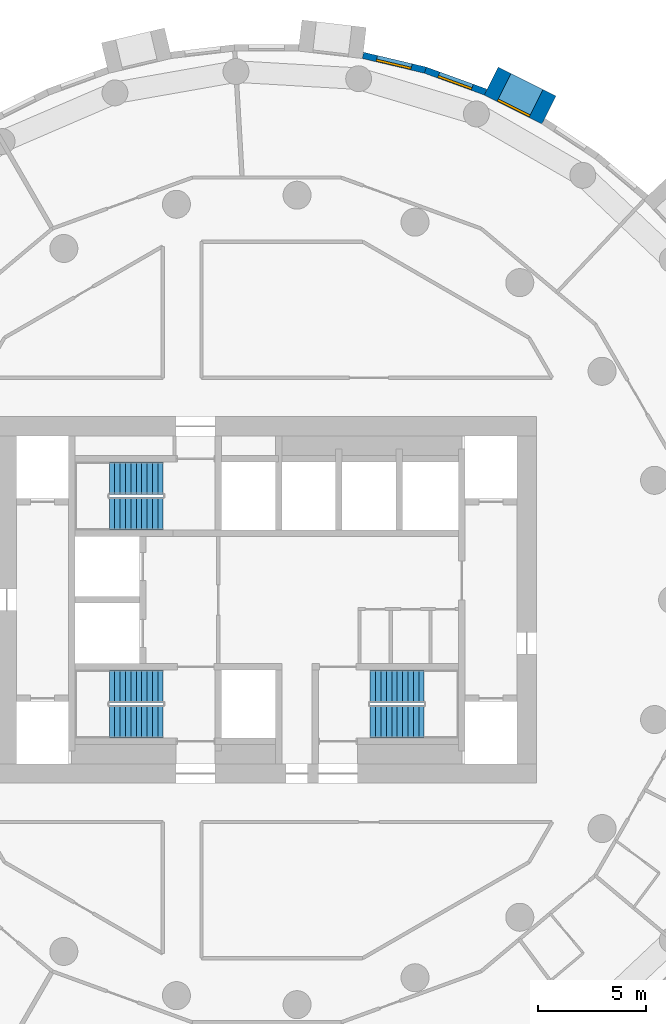
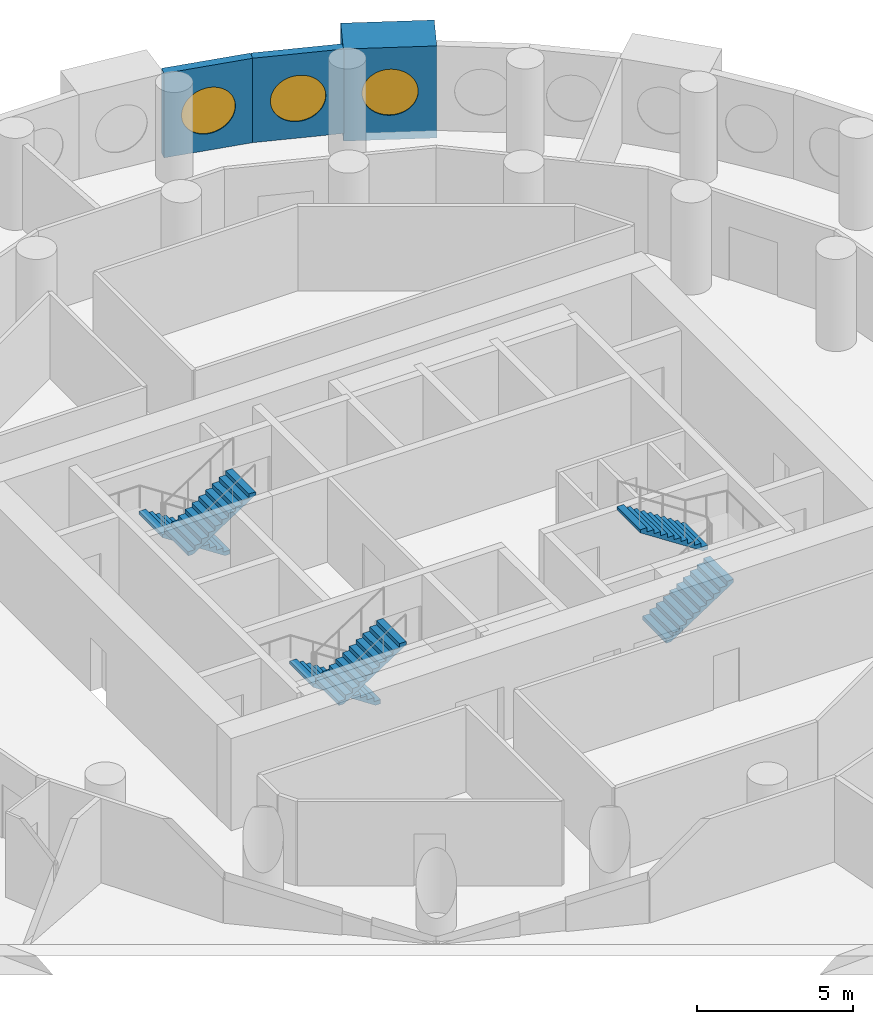
# One storey, part 8 of 9: 6 stair flights, 3 walls, 3 windows, 3 openings, 3 elements without a shape of their own.
"""IFC4 building model written with IfcOpenShell, lengths in metres."""

from ifc_helpers import new_model, si_unit, direction, frame, frame_2d, origin, origin_2d, place, context, subcontext, project, spatial, polyline, rectangle, circle, outline, extrude, material, layer, layer_set, type_object, element, fill, aggregate, save


model = new_model("IFC4")

# Units and contexts
model_context = context("Model", 3, precision=1e-05, world=origin(), true_north=direction((0.0, 1.0)))
body_context = subcontext(model_context, "Body", "Model", "MODEL_VIEW")
ifc_project = project(units=[si_unit("LENGTHUNIT", "METRE"), si_unit("AREAUNIT", "SQUARE_METRE"), si_unit("VOLUMEUNIT", "CUBIC_METRE"), si_unit("PLANEANGLEUNIT", "RADIAN"), si_unit("MASSUNIT", "GRAM", prefix="KILO")], contexts=[model_context])

# Site, building, storey
site_placement = place(None, origin())
site = spatial("IfcSite", under=ifc_project, at=site_placement, CompositionType="ELEMENT")
building_placement = place(site_placement, origin())
building = spatial("IfcBuilding", under=site, at=building_placement, Name="Tracery Tower", CompositionType="ELEMENT")
storey_placement = place(building_placement, frame((0.0, 0.0, 198.0)))
storey = spatial("IfcBuildingStorey", under=building, at=storey_placement, Name="L51", CompositionType="ELEMENT", Elevation=198.0)

# Wall, opening, window
ifc_material_1 = material(Name="Precast concrete C50/60", Category="concrete")
ifc_layer_1 = layer(ifc_material_1, 1.449951171875)
ifc_layer_set_1 = layer_set([ifc_layer_1], Name="Deep-set bay unit 3000 x 3600, slab edge 300")
wall_type_1 = type_object("IfcWallType", Name="Deep-set bay unit 3000 x 3600, slab edge 300", PredefinedType="ELEMENTEDWALL", material=ifc_layer_set_1)
wall_1_placement = place(storey_placement, frame((13.089599609375, 22.72119140625, -0.300048828125), z_axis=(0.0, 0.0, 1.0), x_axis=(-0.893628249713, 0.448807922518, 0.0)))
wall_1 = element("IfcWall", 1, at=wall_1_placement, inside=storey, type_object=wall_type_1, Name="Deep-set bay unit 10 at L51", PredefinedType="ELEMENTEDWALL", context=body_context, shape_type="SweptSolid", body=[
    extrude(rectangle(XDim=3.0, YDim=1.449951171875, at=frame_2d((1.5, 0.0))), origin(), (0.0, 0.0, 1.0), 3.60009765625),
])
opening_1_placement = place(wall_1_placement, frame((1.5, 0.0, 1.85009765625)))
opening_1 = element("IfcOpeningElement", 2, at=opening_1_placement, cuts=wall_1, Name="Opening WN1", PredefinedType="OPENING", context=body_context, shape_type="SweptSolid", body=[
    extrude(circle(Radius=0.9000244140625, at=origin_2d()), frame((0.0, 0.73486328125, 0.0), z_axis=(0.0, -1.0, 0.0), x_axis=(1.0, 0.0, 0.0)), (0.0, 0.0, 1.0), 1.469970703125),
])
ifc_material_2 = material(Name="Aluminium frame with tinted double glazing", Category="aluminium")
window_type = type_object("IfcWindowType", Name="Round window 1800", PartitioningType="SINGLE_PANEL", PredefinedType="WINDOW", material=ifc_material_2)
window_1_placement = place(opening_1_placement, origin())
window_1 = element("IfcWindow", 3, at=window_1_placement, inside=storey, type_object=window_type, Name="Round window 10 at L51", OverallHeight=1.800048828125, OverallWidth=1.800048828125, PartitioningType="SINGLE_PANEL", PredefinedType="WINDOW", context=body_context, shape_type="SweptSolid", body=[
    extrude(circle(Radius=0.9000244140625, at=origin_2d()), frame((0.0, 0.69482421875, 0.0), z_axis=(0.0, -1.0, 0.0), x_axis=(1.0, 0.0, 0.0)), (0.0, 0.0, 1.0), 0.10009765625),
])
fill(opening_1, window_1)

ifc_material_3 = material(Name="Precast concrete C50/60", Category="concrete")
ifc_layer_2 = layer(ifc_material_3, 0.300048828125)
ifc_layer_set_2 = layer_set([ifc_layer_2], Name="Facade panel 3000 x 3300")
wall_type_2 = type_object("IfcWallType", Name="Facade panel 3000 x 3300", PredefinedType="SOLIDWALL", material=ifc_layer_set_2)
wall_2_placement = place(storey_placement, frame((10.1494140625, 23.55322265625, 0.0), z_axis=(0.0, 0.0, 1.0), x_axis=(-0.939690282133, 0.342026568652, 0.0)))
wall_2 = element("IfcWall", 4, at=wall_2_placement, inside=storey, type_object=wall_type_2, Name="Facade panel 11 at L51", PredefinedType="SOLIDWALL", context=body_context, shape_type="SweptSolid", body=[
    extrude(rectangle(XDim=2.972900390625, YDim=0.300048828125, at=frame_2d((1.486328125, 0.0))), origin(), (0.0, 0.0, 1.0), 3.300048828125),
])
opening_2_placement = place(wall_2_placement, frame((1.486328125, 0.0, 1.5498046875)))
opening_2 = element("IfcOpeningElement", 5, at=opening_2_placement, cuts=wall_2, Name="Opening WN1", PredefinedType="OPENING", context=body_context, shape_type="SweptSolid", body=[
    extrude(circle(Radius=0.9000244140625, at=origin_2d()), frame((0.0, 0.159912109375, 0.0), z_axis=(0.0, -1.0, 0.0), x_axis=(1.0, 0.0, 0.0)), (0.0, 0.0, 1.0), 0.320068359375),
])
window_2_placement = place(opening_2_placement, origin())
window_2 = element("IfcWindow", 6, at=window_2_placement, inside=storey, type_object=window_type, Name="Round window 11 at L51", OverallHeight=1.800048828125, OverallWidth=1.800048828125, PartitioningType="SINGLE_PANEL", PredefinedType="WINDOW", context=body_context, shape_type="SweptSolid", body=[
    extrude(circle(Radius=0.9000244140625, at=origin_2d()), frame((0.0, 0.1201171875, 0.0), z_axis=(0.0, -1.0, 0.0), x_axis=(1.0, 0.0, 0.0)), (0.0, 0.0, 1.0), 0.10009765625),
])
fill(opening_2, window_2)

wall_3_placement = place(storey_placement, frame((7.355712890625, 24.570068359375, 0.0), z_axis=(0.0, 0.0, 1.0), x_axis=(-0.973045378923, 0.230613725862, 0.0)))
wall_3 = element("IfcWall", 7, at=wall_3_placement, inside=storey, type_object=wall_type_2, Name="Facade panel 12 at L51", PredefinedType="SOLIDWALL", context=body_context, shape_type="SweptSolid", body=[
    extrude(rectangle(XDim=2.97265625, YDim=0.300048828125, at=frame_2d((1.486328125, 0.0))), origin(), (0.0, 0.0, 1.0), 3.300048828125),
])
opening_3_placement = place(wall_3_placement, frame((1.486328125, 0.0, 1.5498046875)))
opening_3 = element("IfcOpeningElement", 8, at=opening_3_placement, cuts=wall_3, Name="Opening WN1", PredefinedType="OPENING", context=body_context, shape_type="SweptSolid", body=[
    extrude(circle(Radius=0.9000244140625, at=origin_2d()), frame((0.0, 0.159912109375, 0.0), z_axis=(0.0, -1.0, 0.0), x_axis=(1.0, 0.0, 0.0)), (0.0, 0.0, 1.0), 0.320068359375),
])
window_3_placement = place(opening_3_placement, origin())
window_3 = element("IfcWindow", 9, at=window_3_placement, inside=storey, type_object=window_type, Name="Round window 12 at L51", OverallHeight=1.800048828125, OverallWidth=1.800048828125, PartitioningType="SINGLE_PANEL", PredefinedType="WINDOW", context=body_context, shape_type="SweptSolid", body=[
    extrude(circle(Radius=0.9000244140625, at=origin_2d()), frame((0.0, 0.1201171875, 0.0), z_axis=(0.0, -1.0, 0.0), x_axis=(1.0, 0.0, 0.0)), (0.0, 0.0, 1.0), 0.10009765625),
])
fill(opening_3, window_3)

# Stair, stair flights
ifc_material_4 = material(Name="Concrete C32/40", Category="concrete")
stair_type = type_object("IfcStairType", Name="Core stair 22 risers", PredefinedType="HALF_TURN_STAIR", material=ifc_material_4)
stair_1_placement = place(storey_placement, origin())
stair_1 = element("IfcStair", 10, at=stair_1_placement, inside=storey, type_object=stair_type, Name="L51 stair ST1", PredefinedType="HALF_TURN_STAIR")
ifc_material_5 = material(Name="Concrete C32/40", Category="concrete")
stair_flight_type = type_object("IfcStairFlightType", Name="Core stair flight 11 risers", PredefinedType="STRAIGHT", material=ifc_material_5)
stair_flight_1_placement = place(storey_placement, frame((-4.800048828125, -4.0, 0.0), z_axis=(0.0, 0.0, 1.0), x_axis=(-1.0, 0.0, 0.0)))
stair_flight_1 = element("IfcStairFlight", 11, at=stair_flight_1_placement, type_object=stair_flight_type, Name="ST1 flight 1", NumberOfRisers=11, NumberOfTreads=10, PredefinedType="STRAIGHT", RiserHeight=0.163636364, TreadLength=0.25, context=body_context, shape_type="SweptSolid", body=[
    extrude(outline(polyline([(0.0, 0.0), (0.0, 0.002685546875), (0.0, 0.00537109375), (0.0, 0.008056640625), (0.0, 0.0107421875), (0.0, 0.013427734375), (0.0, 0.01611328125), (0.0, 0.018798828125), (0.0, 0.021484375), (0.0, 0.024169921875), (0.0, 0.02685546875), (0.0, 0.029541015625), (0.0, 0.0322265625), (0.0, 0.034912109375), (0.0, 0.03759765625), (0.0, 0.040283203125), (0.0, 0.04296875), (0.0, 0.045654296875), (0.0, 0.04833984375), (0.0, 0.051025390625), (0.0, 0.0537109375), (0.0, 0.056396484375), (0.0, 0.05908203125), (0.0, 0.061767578125), (0.0, 0.064453125), (0.0, 0.067138671875), (0.0, 0.06982421875), (0.0, 0.072509765625), (0.0, 0.0751953125), (0.0, 0.077880859375), (0.0, 0.08056640625), (0.0, 0.083251953125), (0.0, 0.0859375), (0.0, 0.088623046875), (0.0, 0.09130859375), (0.0, 0.093994140625), (0.0, 0.0966796875), (0.0, 0.099365234375), (0.0, 0.10205078125), (0.0, 0.104736328125), (0.0, 0.107421875), (0.0, 0.10986328125), (0.0, 0.112548828125), (0.0, 0.115234375), (0.0, 0.117919921875), (0.0, 0.12060546875), (0.0, 0.123291015625), (0.0, 0.1259765625), (0.0, 0.128662109375), (0.0, 0.13134765625), (0.0, 0.134033203125), (0.0, 0.13671875), (0.0, 0.139404296875), (0.0, 0.14208984375), (0.0, 0.144775390625), (0.0, 0.1474609375), (0.0, 0.150146484375), (0.0, 0.15283203125), (0.0, 0.155517578125), (0.0, 0.158203125), (0.0, 0.160888671875), (0.0, 0.16357421875), (0.25, 0.16357421875), (0.25, 0.327392578125), (0.5, 0.327392578125), (0.5, 0.490966796875), (0.75, 0.490966796875), (0.75, 0.654541015625), (1.0, 0.654541015625), (1.0, 0.818115234375), (1.25, 0.818115234375), (1.25, 0.98193359375), (1.5, 0.98193359375), (1.5, 1.1455078125), (1.75, 1.1455078125), (1.75, 1.30908203125), (2.0, 1.30908203125), (2.0, 1.47265625), (2.25, 1.47265625), (2.25, 1.636474609375), (2.5, 1.636474609375), (2.5, 1.634521484375), (2.5, 1.63232421875), (2.5, 1.63037109375), (2.5, 1.62841796875), (2.5, 1.62646484375), (2.5, 1.62451171875), (2.5, 1.62255859375), (2.5, 1.62060546875), (2.5, 1.61865234375), (2.5, 1.61669921875), (2.5, 1.61474609375), (2.5, 1.61279296875), (2.5, 1.61083984375), (2.5, 1.60888671875), (2.5, 1.60693359375), (2.5, 1.60498046875), (2.5, 1.60302734375), (2.5, 1.60107421875), (2.5, 1.59912109375), (2.5, 1.59716796875), (2.5, 1.59521484375), (2.5, 1.59326171875), (2.5, 1.59130859375), (2.5, 1.58935546875), (2.5, 1.58740234375), (2.5, 1.58544921875), (2.5, 1.58349609375), (2.5, 1.58154296875), (2.5, 1.57958984375), (2.5, 1.57763671875), (2.5, 1.57568359375), (2.5, 1.573486328125), (2.5, 1.571533203125), (2.5, 1.569580078125), (2.5, 1.567626953125), (2.5, 1.565673828125), (2.5, 1.563720703125), (2.5, 1.561767578125), (2.5, 1.559814453125), (2.5, 1.557861328125), (2.5, 1.555908203125), (2.5, 1.553955078125), (2.5, 1.552001953125), (2.5, 1.550048828125), (2.5, 1.548095703125), (2.5, 1.546142578125), (2.5, 1.544189453125), (2.5, 1.542236328125), (2.5, 1.540283203125), (2.5, 1.538330078125), (2.5, 1.536376953125), (2.5, 1.534423828125), (2.5, 1.532470703125), (2.5, 1.530517578125), (2.5, 1.528564453125), (2.5, 1.526611328125), (2.5, 1.524658203125), (2.5, 1.522705078125), (2.5, 1.520751953125), (2.5, 1.518798828125), (2.5, 1.516845703125), (0.182861328125, 0.0), (0.0, 0.0)])), frame((0.0, 0.75, 0.0), z_axis=(0.0, -1.0, 0.0), x_axis=(1.0, 0.0, 0.0)), (0.0, 0.0, 1.0), 1.5),
])
stair_flight_2_placement = place(storey_placement, frame((-7.300048828125, -5.64990234375, 1.800048828125), z_axis=(0.0, 0.0, 1.0), x_axis=(1.0, 0.0, 0.0)))
stair_flight_2 = element("IfcStairFlight", 12, at=stair_flight_2_placement, type_object=stair_flight_type, Name="ST1 flight 2", NumberOfRisers=11, NumberOfTreads=10, PredefinedType="STRAIGHT", RiserHeight=0.163636364, TreadLength=0.25, context=body_context, shape_type="SweptSolid", body=[
    extrude(outline(polyline([(0.0, 0.0), (0.0, 0.002685546875), (0.0, 0.00537109375), (0.0, 0.008056640625), (0.0, 0.0107421875), (0.0, 0.013427734375), (0.0, 0.01611328125), (0.0, 0.018798828125), (0.0, 0.021484375), (0.0, 0.024169921875), (0.0, 0.02685546875), (0.0, 0.029541015625), (0.0, 0.0322265625), (0.0, 0.034912109375), (0.0, 0.03759765625), (0.0, 0.040283203125), (0.0, 0.04296875), (0.0, 0.045654296875), (0.0, 0.04833984375), (0.0, 0.051025390625), (0.0, 0.0537109375), (0.0, 0.056396484375), (0.0, 0.05908203125), (0.0, 0.061767578125), (0.0, 0.064453125), (0.0, 0.067138671875), (0.0, 0.06982421875), (0.0, 0.072509765625), (0.0, 0.0751953125), (0.0, 0.077880859375), (0.0, 0.08056640625), (0.0, 0.083251953125), (0.0, 0.0859375), (0.0, 0.088623046875), (0.0, 0.09130859375), (0.0, 0.093994140625), (0.0, 0.0966796875), (0.0, 0.099365234375), (0.0, 0.10205078125), (0.0, 0.104736328125), (0.0, 0.107421875), (0.0, 0.10986328125), (0.0, 0.112548828125), (0.0, 0.115234375), (0.0, 0.117919921875), (0.0, 0.12060546875), (0.0, 0.123291015625), (0.0, 0.1259765625), (0.0, 0.128662109375), (0.0, 0.13134765625), (0.0, 0.134033203125), (0.0, 0.13671875), (0.0, 0.139404296875), (0.0, 0.14208984375), (0.0, 0.144775390625), (0.0, 0.1474609375), (0.0, 0.150146484375), (0.0, 0.15283203125), (0.0, 0.155517578125), (0.0, 0.158203125), (0.0, 0.160888671875), (0.0, 0.16357421875), (0.25, 0.16357421875), (0.25, 0.327392578125), (0.5, 0.327392578125), (0.5, 0.490966796875), (0.75, 0.490966796875), (0.75, 0.654541015625), (1.0, 0.654541015625), (1.0, 0.818115234375), (1.25, 0.818115234375), (1.25, 0.98193359375), (1.5, 0.98193359375), (1.5, 1.1455078125), (1.75, 1.1455078125), (1.75, 1.30908203125), (2.0, 1.30908203125), (2.0, 1.47265625), (2.25, 1.47265625), (2.25, 1.636474609375), (2.5, 1.636474609375), (2.5, 1.634521484375), (2.5, 1.63232421875), (2.5, 1.63037109375), (2.5, 1.62841796875), (2.5, 1.62646484375), (2.5, 1.62451171875), (2.5, 1.62255859375), (2.5, 1.62060546875), (2.5, 1.61865234375), (2.5, 1.61669921875), (2.5, 1.61474609375), (2.5, 1.61279296875), (2.5, 1.61083984375), (2.5, 1.60888671875), (2.5, 1.60693359375), (2.5, 1.60498046875), (2.5, 1.60302734375), (2.5, 1.60107421875), (2.5, 1.59912109375), (2.5, 1.59716796875), (2.5, 1.59521484375), (2.5, 1.59326171875), (2.5, 1.59130859375), (2.5, 1.58935546875), (2.5, 1.58740234375), (2.5, 1.58544921875), (2.5, 1.58349609375), (2.5, 1.58154296875), (2.5, 1.57958984375), (2.5, 1.57763671875), (2.5, 1.57568359375), (2.5, 1.573486328125), (2.5, 1.571533203125), (2.5, 1.569580078125), (2.5, 1.567626953125), (2.5, 1.565673828125), (2.5, 1.563720703125), (2.5, 1.561767578125), (2.5, 1.559814453125), (2.5, 1.557861328125), (2.5, 1.555908203125), (2.5, 1.553955078125), (2.5, 1.552001953125), (2.5, 1.550048828125), (2.5, 1.548095703125), (2.5, 1.546142578125), (2.5, 1.544189453125), (2.5, 1.542236328125), (2.5, 1.540283203125), (2.5, 1.538330078125), (2.5, 1.536376953125), (2.5, 1.534423828125), (2.5, 1.532470703125), (2.5, 1.530517578125), (2.5, 1.528564453125), (2.5, 1.526611328125), (2.5, 1.524658203125), (2.5, 1.522705078125), (2.5, 1.520751953125), (2.5, 1.518798828125), (2.5, 1.516845703125), (0.182861328125, 0.0), (0.0, 0.0)])), frame((0.0, 0.75, 0.0), z_axis=(0.0, -1.0, 0.0), x_axis=(1.0, 0.0, 0.0)), (0.0, 0.0, 1.0), 1.5),
])
aggregate(stair_1, [stair_flight_1, stair_flight_2])

stair_2_placement = place(storey_placement, origin())
stair_2 = element("IfcStair", 13, at=stair_2_placement, inside=storey, type_object=stair_type, Name="L51 stair ST3", PredefinedType="HALF_TURN_STAIR")
stair_flight_3_placement = place(storey_placement, frame((-4.800048828125, 5.64990234375, 0.0), z_axis=(0.0, 0.0, 1.0), x_axis=(-1.0, 0.0, 0.0)))
stair_flight_3 = element("IfcStairFlight", 14, at=stair_flight_3_placement, type_object=stair_flight_type, Name="ST3 flight 1", NumberOfRisers=11, NumberOfTreads=10, PredefinedType="STRAIGHT", RiserHeight=0.163636364, TreadLength=0.25, context=body_context, shape_type="SweptSolid", body=[
    extrude(outline(polyline([(0.0, 0.0), (0.0, 0.002685546875), (0.0, 0.00537109375), (0.0, 0.008056640625), (0.0, 0.0107421875), (0.0, 0.013427734375), (0.0, 0.01611328125), (0.0, 0.018798828125), (0.0, 0.021484375), (0.0, 0.024169921875), (0.0, 0.02685546875), (0.0, 0.029541015625), (0.0, 0.0322265625), (0.0, 0.034912109375), (0.0, 0.03759765625), (0.0, 0.040283203125), (0.0, 0.04296875), (0.0, 0.045654296875), (0.0, 0.04833984375), (0.0, 0.051025390625), (0.0, 0.0537109375), (0.0, 0.056396484375), (0.0, 0.05908203125), (0.0, 0.061767578125), (0.0, 0.064453125), (0.0, 0.067138671875), (0.0, 0.06982421875), (0.0, 0.072509765625), (0.0, 0.0751953125), (0.0, 0.077880859375), (0.0, 0.08056640625), (0.0, 0.083251953125), (0.0, 0.0859375), (0.0, 0.088623046875), (0.0, 0.09130859375), (0.0, 0.093994140625), (0.0, 0.0966796875), (0.0, 0.099365234375), (0.0, 0.10205078125), (0.0, 0.104736328125), (0.0, 0.107421875), (0.0, 0.10986328125), (0.0, 0.112548828125), (0.0, 0.115234375), (0.0, 0.117919921875), (0.0, 0.12060546875), (0.0, 0.123291015625), (0.0, 0.1259765625), (0.0, 0.128662109375), (0.0, 0.13134765625), (0.0, 0.134033203125), (0.0, 0.13671875), (0.0, 0.139404296875), (0.0, 0.14208984375), (0.0, 0.144775390625), (0.0, 0.1474609375), (0.0, 0.150146484375), (0.0, 0.15283203125), (0.0, 0.155517578125), (0.0, 0.158203125), (0.0, 0.160888671875), (0.0, 0.16357421875), (0.25, 0.16357421875), (0.25, 0.327392578125), (0.5, 0.327392578125), (0.5, 0.490966796875), (0.75, 0.490966796875), (0.75, 0.654541015625), (1.0, 0.654541015625), (1.0, 0.818115234375), (1.25, 0.818115234375), (1.25, 0.98193359375), (1.5, 0.98193359375), (1.5, 1.1455078125), (1.75, 1.1455078125), (1.75, 1.30908203125), (2.0, 1.30908203125), (2.0, 1.47265625), (2.25, 1.47265625), (2.25, 1.636474609375), (2.5, 1.636474609375), (2.5, 1.634521484375), (2.5, 1.63232421875), (2.5, 1.63037109375), (2.5, 1.62841796875), (2.5, 1.62646484375), (2.5, 1.62451171875), (2.5, 1.62255859375), (2.5, 1.62060546875), (2.5, 1.61865234375), (2.5, 1.61669921875), (2.5, 1.61474609375), (2.5, 1.61279296875), (2.5, 1.61083984375), (2.5, 1.60888671875), (2.5, 1.60693359375), (2.5, 1.60498046875), (2.5, 1.60302734375), (2.5, 1.60107421875), (2.5, 1.59912109375), (2.5, 1.59716796875), (2.5, 1.59521484375), (2.5, 1.59326171875), (2.5, 1.59130859375), (2.5, 1.58935546875), (2.5, 1.58740234375), (2.5, 1.58544921875), (2.5, 1.58349609375), (2.5, 1.58154296875), (2.5, 1.57958984375), (2.5, 1.57763671875), (2.5, 1.57568359375), (2.5, 1.573486328125), (2.5, 1.571533203125), (2.5, 1.569580078125), (2.5, 1.567626953125), (2.5, 1.565673828125), (2.5, 1.563720703125), (2.5, 1.561767578125), (2.5, 1.559814453125), (2.5, 1.557861328125), (2.5, 1.555908203125), (2.5, 1.553955078125), (2.5, 1.552001953125), (2.5, 1.550048828125), (2.5, 1.548095703125), (2.5, 1.546142578125), (2.5, 1.544189453125), (2.5, 1.542236328125), (2.5, 1.540283203125), (2.5, 1.538330078125), (2.5, 1.536376953125), (2.5, 1.534423828125), (2.5, 1.532470703125), (2.5, 1.530517578125), (2.5, 1.528564453125), (2.5, 1.526611328125), (2.5, 1.524658203125), (2.5, 1.522705078125), (2.5, 1.520751953125), (2.5, 1.518798828125), (2.5, 1.516845703125), (0.182861328125, 0.0), (0.0, 0.0)])), frame((0.0, 0.75, 0.0), z_axis=(0.0, -1.0, 0.0), x_axis=(1.0, 0.0, 0.0)), (0.0, 0.0, 1.0), 1.5),
])
stair_flight_4_placement = place(storey_placement, frame((-7.300048828125, 4.0, 1.800048828125), z_axis=(0.0, 0.0, 1.0), x_axis=(1.0, 0.0, 0.0)))
stair_flight_4 = element("IfcStairFlight", 15, at=stair_flight_4_placement, type_object=stair_flight_type, Name="ST3 flight 2", NumberOfRisers=11, NumberOfTreads=10, PredefinedType="STRAIGHT", RiserHeight=0.163636364, TreadLength=0.25, context=body_context, shape_type="SweptSolid", body=[
    extrude(outline(polyline([(0.0, 0.0), (0.0, 0.002685546875), (0.0, 0.00537109375), (0.0, 0.008056640625), (0.0, 0.0107421875), (0.0, 0.013427734375), (0.0, 0.01611328125), (0.0, 0.018798828125), (0.0, 0.021484375), (0.0, 0.024169921875), (0.0, 0.02685546875), (0.0, 0.029541015625), (0.0, 0.0322265625), (0.0, 0.034912109375), (0.0, 0.03759765625), (0.0, 0.040283203125), (0.0, 0.04296875), (0.0, 0.045654296875), (0.0, 0.04833984375), (0.0, 0.051025390625), (0.0, 0.0537109375), (0.0, 0.056396484375), (0.0, 0.05908203125), (0.0, 0.061767578125), (0.0, 0.064453125), (0.0, 0.067138671875), (0.0, 0.06982421875), (0.0, 0.072509765625), (0.0, 0.0751953125), (0.0, 0.077880859375), (0.0, 0.08056640625), (0.0, 0.083251953125), (0.0, 0.0859375), (0.0, 0.088623046875), (0.0, 0.09130859375), (0.0, 0.093994140625), (0.0, 0.0966796875), (0.0, 0.099365234375), (0.0, 0.10205078125), (0.0, 0.104736328125), (0.0, 0.107421875), (0.0, 0.10986328125), (0.0, 0.112548828125), (0.0, 0.115234375), (0.0, 0.117919921875), (0.0, 0.12060546875), (0.0, 0.123291015625), (0.0, 0.1259765625), (0.0, 0.128662109375), (0.0, 0.13134765625), (0.0, 0.134033203125), (0.0, 0.13671875), (0.0, 0.139404296875), (0.0, 0.14208984375), (0.0, 0.144775390625), (0.0, 0.1474609375), (0.0, 0.150146484375), (0.0, 0.15283203125), (0.0, 0.155517578125), (0.0, 0.158203125), (0.0, 0.160888671875), (0.0, 0.16357421875), (0.25, 0.16357421875), (0.25, 0.327392578125), (0.5, 0.327392578125), (0.5, 0.490966796875), (0.75, 0.490966796875), (0.75, 0.654541015625), (1.0, 0.654541015625), (1.0, 0.818115234375), (1.25, 0.818115234375), (1.25, 0.98193359375), (1.5, 0.98193359375), (1.5, 1.1455078125), (1.75, 1.1455078125), (1.75, 1.30908203125), (2.0, 1.30908203125), (2.0, 1.47265625), (2.25, 1.47265625), (2.25, 1.636474609375), (2.5, 1.636474609375), (2.5, 1.634521484375), (2.5, 1.63232421875), (2.5, 1.63037109375), (2.5, 1.62841796875), (2.5, 1.62646484375), (2.5, 1.62451171875), (2.5, 1.62255859375), (2.5, 1.62060546875), (2.5, 1.61865234375), (2.5, 1.61669921875), (2.5, 1.61474609375), (2.5, 1.61279296875), (2.5, 1.61083984375), (2.5, 1.60888671875), (2.5, 1.60693359375), (2.5, 1.60498046875), (2.5, 1.60302734375), (2.5, 1.60107421875), (2.5, 1.59912109375), (2.5, 1.59716796875), (2.5, 1.59521484375), (2.5, 1.59326171875), (2.5, 1.59130859375), (2.5, 1.58935546875), (2.5, 1.58740234375), (2.5, 1.58544921875), (2.5, 1.58349609375), (2.5, 1.58154296875), (2.5, 1.57958984375), (2.5, 1.57763671875), (2.5, 1.57568359375), (2.5, 1.573486328125), (2.5, 1.571533203125), (2.5, 1.569580078125), (2.5, 1.567626953125), (2.5, 1.565673828125), (2.5, 1.563720703125), (2.5, 1.561767578125), (2.5, 1.559814453125), (2.5, 1.557861328125), (2.5, 1.555908203125), (2.5, 1.553955078125), (2.5, 1.552001953125), (2.5, 1.550048828125), (2.5, 1.548095703125), (2.5, 1.546142578125), (2.5, 1.544189453125), (2.5, 1.542236328125), (2.5, 1.540283203125), (2.5, 1.538330078125), (2.5, 1.536376953125), (2.5, 1.534423828125), (2.5, 1.532470703125), (2.5, 1.530517578125), (2.5, 1.528564453125), (2.5, 1.526611328125), (2.5, 1.524658203125), (2.5, 1.522705078125), (2.5, 1.520751953125), (2.5, 1.518798828125), (2.5, 1.516845703125), (0.182861328125, 0.0), (0.0, 0.0)])), frame((0.0, 0.75, 0.0), z_axis=(0.0, -1.0, 0.0), x_axis=(1.0, 0.0, 0.0)), (0.0, 0.0, 1.0), 1.5),
])
aggregate(stair_2, [stair_flight_3, stair_flight_4])

stair_3_placement = place(storey_placement, origin())
stair_3 = element("IfcStair", 16, at=stair_3_placement, inside=storey, type_object=stair_type, Name="L51 stair ST2", PredefinedType="HALF_TURN_STAIR")
stair_flight_5_placement = place(storey_placement, frame((4.800048828125, -5.64990234375, 0.0), z_axis=(0.0, 0.0, 1.0), x_axis=(1.0, 0.0, 0.0)))
stair_flight_5 = element("IfcStairFlight", 17, at=stair_flight_5_placement, type_object=stair_flight_type, Name="ST2 flight 1", NumberOfRisers=11, NumberOfTreads=10, PredefinedType="STRAIGHT", RiserHeight=0.163636364, TreadLength=0.25, context=body_context, shape_type="SweptSolid", body=[
    extrude(outline(polyline([(0.0, 0.0), (0.0, 0.002685546875), (0.0, 0.00537109375), (0.0, 0.008056640625), (0.0, 0.0107421875), (0.0, 0.013427734375), (0.0, 0.01611328125), (0.0, 0.018798828125), (0.0, 0.021484375), (0.0, 0.024169921875), (0.0, 0.02685546875), (0.0, 0.029541015625), (0.0, 0.0322265625), (0.0, 0.034912109375), (0.0, 0.03759765625), (0.0, 0.040283203125), (0.0, 0.04296875), (0.0, 0.045654296875), (0.0, 0.04833984375), (0.0, 0.051025390625), (0.0, 0.0537109375), (0.0, 0.056396484375), (0.0, 0.05908203125), (0.0, 0.061767578125), (0.0, 0.064453125), (0.0, 0.067138671875), (0.0, 0.06982421875), (0.0, 0.072509765625), (0.0, 0.0751953125), (0.0, 0.077880859375), (0.0, 0.08056640625), (0.0, 0.083251953125), (0.0, 0.0859375), (0.0, 0.088623046875), (0.0, 0.09130859375), (0.0, 0.093994140625), (0.0, 0.0966796875), (0.0, 0.099365234375), (0.0, 0.10205078125), (0.0, 0.104736328125), (0.0, 0.107421875), (0.0, 0.10986328125), (0.0, 0.112548828125), (0.0, 0.115234375), (0.0, 0.117919921875), (0.0, 0.12060546875), (0.0, 0.123291015625), (0.0, 0.1259765625), (0.0, 0.128662109375), (0.0, 0.13134765625), (0.0, 0.134033203125), (0.0, 0.13671875), (0.0, 0.139404296875), (0.0, 0.14208984375), (0.0, 0.144775390625), (0.0, 0.1474609375), (0.0, 0.150146484375), (0.0, 0.15283203125), (0.0, 0.155517578125), (0.0, 0.158203125), (0.0, 0.160888671875), (0.0, 0.16357421875), (0.25, 0.16357421875), (0.25, 0.327392578125), (0.5, 0.327392578125), (0.5, 0.490966796875), (0.75, 0.490966796875), (0.75, 0.654541015625), (1.0, 0.654541015625), (1.0, 0.818115234375), (1.25, 0.818115234375), (1.25, 0.98193359375), (1.5, 0.98193359375), (1.5, 1.1455078125), (1.75, 1.1455078125), (1.75, 1.30908203125), (2.0, 1.30908203125), (2.0, 1.47265625), (2.25, 1.47265625), (2.25, 1.636474609375), (2.5, 1.636474609375), (2.5, 1.634521484375), (2.5, 1.63232421875), (2.5, 1.63037109375), (2.5, 1.62841796875), (2.5, 1.62646484375), (2.5, 1.62451171875), (2.5, 1.62255859375), (2.5, 1.62060546875), (2.5, 1.61865234375), (2.5, 1.61669921875), (2.5, 1.61474609375), (2.5, 1.61279296875), (2.5, 1.61083984375), (2.5, 1.60888671875), (2.5, 1.60693359375), (2.5, 1.60498046875), (2.5, 1.60302734375), (2.5, 1.60107421875), (2.5, 1.59912109375), (2.5, 1.59716796875), (2.5, 1.59521484375), (2.5, 1.59326171875), (2.5, 1.59130859375), (2.5, 1.58935546875), (2.5, 1.58740234375), (2.5, 1.58544921875), (2.5, 1.58349609375), (2.5, 1.58154296875), (2.5, 1.57958984375), (2.5, 1.57763671875), (2.5, 1.57568359375), (2.5, 1.573486328125), (2.5, 1.571533203125), (2.5, 1.569580078125), (2.5, 1.567626953125), (2.5, 1.565673828125), (2.5, 1.563720703125), (2.5, 1.561767578125), (2.5, 1.559814453125), (2.5, 1.557861328125), (2.5, 1.555908203125), (2.5, 1.553955078125), (2.5, 1.552001953125), (2.5, 1.550048828125), (2.5, 1.548095703125), (2.5, 1.546142578125), (2.5, 1.544189453125), (2.5, 1.542236328125), (2.5, 1.540283203125), (2.5, 1.538330078125), (2.5, 1.536376953125), (2.5, 1.534423828125), (2.5, 1.532470703125), (2.5, 1.530517578125), (2.5, 1.528564453125), (2.5, 1.526611328125), (2.5, 1.524658203125), (2.5, 1.522705078125), (2.5, 1.520751953125), (2.5, 1.518798828125), (2.5, 1.516845703125), (0.182861328125, 0.0), (0.0, 0.0)])), frame((0.0, 0.75, 0.0), z_axis=(0.0, -1.0, 0.0), x_axis=(1.0, 0.0, 0.0)), (0.0, 0.0, 1.0), 1.5),
])
stair_flight_6_placement = place(storey_placement, frame((7.300048828125, -4.0, 1.800048828125), z_axis=(0.0, 0.0, 1.0), x_axis=(-1.0, 0.0, 0.0)))
stair_flight_6 = element("IfcStairFlight", 18, at=stair_flight_6_placement, type_object=stair_flight_type, Name="ST2 flight 2", NumberOfRisers=11, NumberOfTreads=10, PredefinedType="STRAIGHT", RiserHeight=0.163636364, TreadLength=0.25, context=body_context, shape_type="SweptSolid", body=[
    extrude(outline(polyline([(0.0, 0.0), (0.0, 0.002685546875), (0.0, 0.00537109375), (0.0, 0.008056640625), (0.0, 0.0107421875), (0.0, 0.013427734375), (0.0, 0.01611328125), (0.0, 0.018798828125), (0.0, 0.021484375), (0.0, 0.024169921875), (0.0, 0.02685546875), (0.0, 0.029541015625), (0.0, 0.0322265625), (0.0, 0.034912109375), (0.0, 0.03759765625), (0.0, 0.040283203125), (0.0, 0.04296875), (0.0, 0.045654296875), (0.0, 0.04833984375), (0.0, 0.051025390625), (0.0, 0.0537109375), (0.0, 0.056396484375), (0.0, 0.05908203125), (0.0, 0.061767578125), (0.0, 0.064453125), (0.0, 0.067138671875), (0.0, 0.06982421875), (0.0, 0.072509765625), (0.0, 0.0751953125), (0.0, 0.077880859375), (0.0, 0.08056640625), (0.0, 0.083251953125), (0.0, 0.0859375), (0.0, 0.088623046875), (0.0, 0.09130859375), (0.0, 0.093994140625), (0.0, 0.0966796875), (0.0, 0.099365234375), (0.0, 0.10205078125), (0.0, 0.104736328125), (0.0, 0.107421875), (0.0, 0.10986328125), (0.0, 0.112548828125), (0.0, 0.115234375), (0.0, 0.117919921875), (0.0, 0.12060546875), (0.0, 0.123291015625), (0.0, 0.1259765625), (0.0, 0.128662109375), (0.0, 0.13134765625), (0.0, 0.134033203125), (0.0, 0.13671875), (0.0, 0.139404296875), (0.0, 0.14208984375), (0.0, 0.144775390625), (0.0, 0.1474609375), (0.0, 0.150146484375), (0.0, 0.15283203125), (0.0, 0.155517578125), (0.0, 0.158203125), (0.0, 0.160888671875), (0.0, 0.16357421875), (0.25, 0.16357421875), (0.25, 0.327392578125), (0.5, 0.327392578125), (0.5, 0.490966796875), (0.75, 0.490966796875), (0.75, 0.654541015625), (1.0, 0.654541015625), (1.0, 0.818115234375), (1.25, 0.818115234375), (1.25, 0.98193359375), (1.5, 0.98193359375), (1.5, 1.1455078125), (1.75, 1.1455078125), (1.75, 1.30908203125), (2.0, 1.30908203125), (2.0, 1.47265625), (2.25, 1.47265625), (2.25, 1.636474609375), (2.5, 1.636474609375), (2.5, 1.634521484375), (2.5, 1.63232421875), (2.5, 1.63037109375), (2.5, 1.62841796875), (2.5, 1.62646484375), (2.5, 1.62451171875), (2.5, 1.62255859375), (2.5, 1.62060546875), (2.5, 1.61865234375), (2.5, 1.61669921875), (2.5, 1.61474609375), (2.5, 1.61279296875), (2.5, 1.61083984375), (2.5, 1.60888671875), (2.5, 1.60693359375), (2.5, 1.60498046875), (2.5, 1.60302734375), (2.5, 1.60107421875), (2.5, 1.59912109375), (2.5, 1.59716796875), (2.5, 1.59521484375), (2.5, 1.59326171875), (2.5, 1.59130859375), (2.5, 1.58935546875), (2.5, 1.58740234375), (2.5, 1.58544921875), (2.5, 1.58349609375), (2.5, 1.58154296875), (2.5, 1.57958984375), (2.5, 1.57763671875), (2.5, 1.57568359375), (2.5, 1.573486328125), (2.5, 1.571533203125), (2.5, 1.569580078125), (2.5, 1.567626953125), (2.5, 1.565673828125), (2.5, 1.563720703125), (2.5, 1.561767578125), (2.5, 1.559814453125), (2.5, 1.557861328125), (2.5, 1.555908203125), (2.5, 1.553955078125), (2.5, 1.552001953125), (2.5, 1.550048828125), (2.5, 1.548095703125), (2.5, 1.546142578125), (2.5, 1.544189453125), (2.5, 1.542236328125), (2.5, 1.540283203125), (2.5, 1.538330078125), (2.5, 1.536376953125), (2.5, 1.534423828125), (2.5, 1.532470703125), (2.5, 1.530517578125), (2.5, 1.528564453125), (2.5, 1.526611328125), (2.5, 1.524658203125), (2.5, 1.522705078125), (2.5, 1.520751953125), (2.5, 1.518798828125), (2.5, 1.516845703125), (0.182861328125, 0.0), (0.0, 0.0)])), frame((0.0, 0.75, 0.0), z_axis=(0.0, -1.0, 0.0), x_axis=(1.0, 0.0, 0.0)), (0.0, 0.0, 1.0), 1.5),
])
aggregate(stair_3, [stair_flight_5, stair_flight_6])

save(model, "model.ifc")
